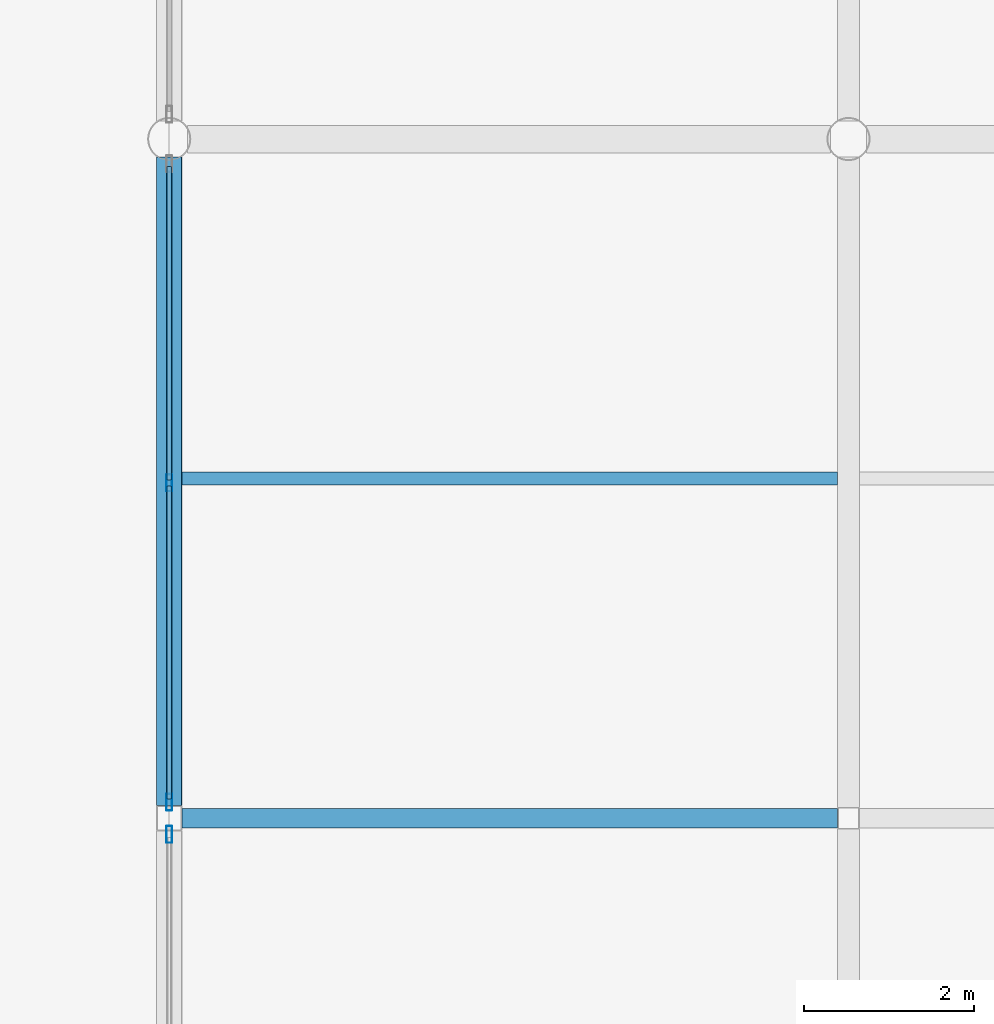
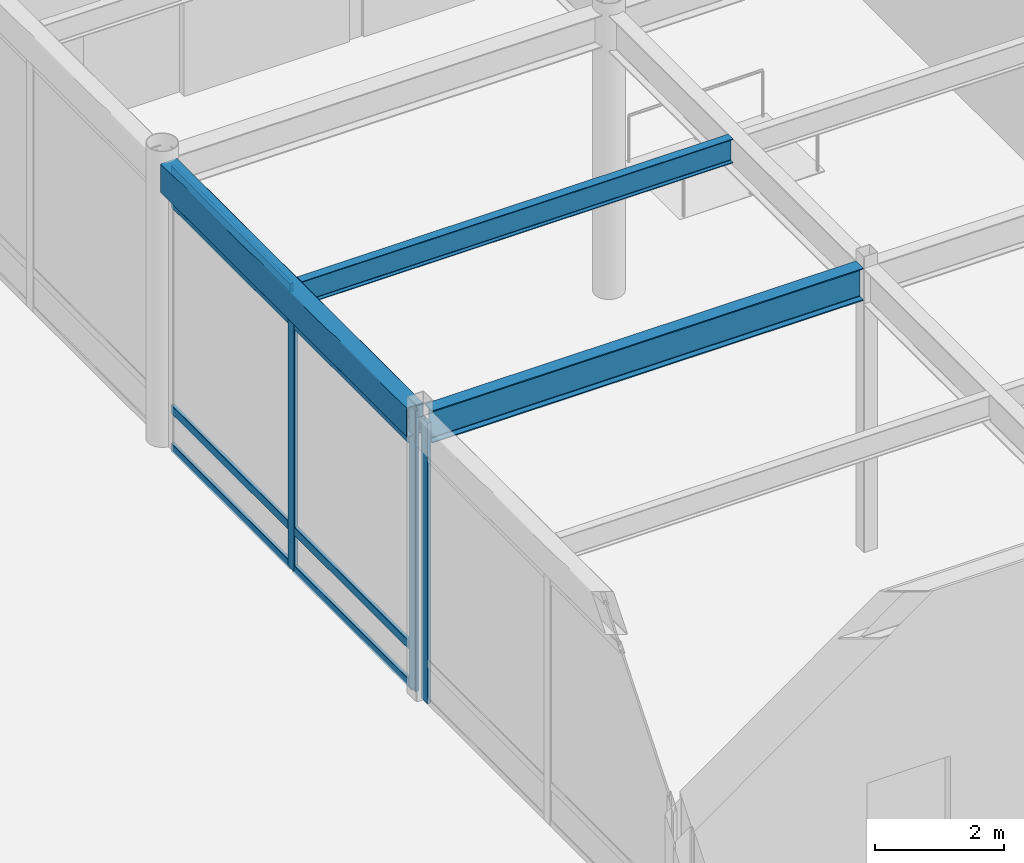
# One storey, part 37 of 128: 11 members, 3 beams, 2 elements without a shape of their own.
"""IFC4 building model written with IfcOpenShell, lengths in metres."""

from ifc_helpers import new_model, si_unit, direction, frame, origin, origin_2d, place, context, subcontext, project, spatial, hollow_rectangle, i_section, extrude, material, material_profile, profile_set, type_object, element, aggregate, save


model = new_model("IFC4")

# Units and contexts
model_context = context("Model", 3, precision=1e-05, world=origin(), true_north=direction((0.0, 1.0)))
body_context = subcontext(model_context, "Body", "Model", "MODEL_VIEW")
ifc_project = project(units=[si_unit("LENGTHUNIT", "METRE"), si_unit("AREAUNIT", "SQUARE_METRE"), si_unit("VOLUMEUNIT", "CUBIC_METRE"), si_unit("PLANEANGLEUNIT", "RADIAN"), si_unit("MASSUNIT", "GRAM", prefix="KILO")], contexts=[model_context])

# Site, building, storey
site_placement = place(None, origin())
site = spatial("IfcSite", under=ifc_project, at=site_placement, CompositionType="ELEMENT")
building_placement = place(site_placement, origin())
building = spatial("IfcBuilding", under=site, at=building_placement, Name="Solmirada Galleria", CompositionType="ELEMENT")
storey_placement = place(building_placement, origin())
storey = spatial("IfcBuildingStorey", under=building, at=storey_placement, Name="L00", CompositionType="ELEMENT", Elevation=0.0)

# Beams
ifc_material_1 = material(Name="Steel S355 / ASTM A992 Grade 50", Category="steel")
ifc_material_profile_1 = material_profile(ifc_material_1, i_section(OverallWidth=0.22900390625, OverallDepth=0.612060546875, WebThickness=0.011962890625, FlangeThickness=0.01953125, FilletRadius=0.014892578125, at=origin_2d()), Name="W24X84")
ifc_profile_set_1 = profile_set([ifc_material_profile_1], Name="Steel S355 / ASTM A992 Grade 50")
beam_type_1 = type_object("IfcBeamType", Name="BM-GIRD-W24B", PredefinedType="BEAM", material=ifc_profile_set_1)
beam_1_placement = place(storey_placement, frame((40.152587890625, 24.0, 5.073974609375), z_axis=(1.0, 0.0, 0.0), x_axis=(0.0, 1.0, 0.0)))
element("IfcBeam", 1, at=beam_1_placement, inside=storey, type_object=beam_type_1, Name="Primary beam L01 X(40..48, 24)", PredefinedType="BEAM", context=body_context, shape_type="SweptSolid", body=[
    extrude(i_section(OverallWidth=0.22900390625, OverallDepth=0.612060546875, WebThickness=0.011962890625, FlangeThickness=0.01953125, FilletRadius=0.014892578125, at=origin_2d()), origin(), (0.0, 0.0, 1.0), 7.720458984375),
])
ifc_material_profile_2 = material_profile(ifc_material_1, i_section(OverallWidth=0.153076171875, OverallDepth=0.455078125, WebThickness=0.008056640625, FlangeThickness=0.01318359375, FilletRadius=0.011962890625, at=origin_2d()), Name="W18X40")
ifc_profile_set_2 = profile_set([ifc_material_profile_2], Name="Steel S355 / ASTM A992 Grade 50")
beam_type_2 = type_object("IfcBeamType", Name="BM-JST-W18A", PredefinedType="JOIST", material=ifc_profile_set_2)
beam_2_placement = place(storey_placement, frame((40.152587890625, 28.0, 5.152587890625), z_axis=(1.0, 0.0, 0.0), x_axis=(0.0, 1.0, 0.0)))
element("IfcBeam", 2, at=beam_2_placement, inside=storey, type_object=beam_type_2, Name="Composite floor joist L01 (40..48, 28.0)", PredefinedType="JOIST", context=body_context, shape_type="SweptSolid", body=[
    extrude(i_section(OverallWidth=0.153076171875, OverallDepth=0.455078125, WebThickness=0.008056640625, FlangeThickness=0.01318359375, FilletRadius=0.011962890625, at=origin_2d()), origin(), (0.0, 0.0, 1.0), 7.719482421875),
])
ifc_material_2 = material(Name="Steel S355 / ASTM A500 Grade C", Category="steel")
ifc_material_profile_3 = material_profile(ifc_material_2, hollow_rectangle(XDim=0.304931640625, YDim=0.55908203125, WallThickness=0.01171875, InnerFilletRadius=0.01171875, OuterFilletRadius=0.023681640625, at=origin_2d()), Name="HSS22X12X1/2")
ifc_profile_set_3 = profile_set([ifc_material_profile_3], Name="Steel S355 / ASTM A500 Grade C")
beam_type_3 = type_object("IfcBeamType", Name="BM-SPAND-W21", PredefinedType="SPANDREL", material=ifc_profile_set_3)
beam_3_placement = place(storey_placement, frame((40.0, 24.152587890625, 5.1005859375), z_axis=(0.0, 1.0, 0.0), x_axis=(-1.0, 0.0, 0.0)))
element("IfcBeam", 3, at=beam_3_placement, inside=storey, type_object=beam_type_3, Name="Primary girder L01 Y(40, 24..32)", PredefinedType="SPANDREL", context=body_context, shape_type="SweptSolid", body=[
    extrude(hollow_rectangle(XDim=0.304931640625, YDim=0.55908203125, WallThickness=0.01171875, InnerFilletRadius=0.01171875, OuterFilletRadius=0.023681640625, at=origin_2d()), origin(), (0.0, 0.0, 1.0), 7.634033203125),
])

# Curtain wall, member
ifc_material_3 = material(Name="Impact-resistant low-E double glazing", Category="glass")
curtain_wall_type_1 = type_object("IfcCurtainWallType", Name="CW-FZ1-L00-B2-L077", PredefinedType="NOTDEFINED", material=ifc_material_3)
curtain_wall_1_placement = place(storey_placement, origin())
curtain_wall_1 = element("IfcCurtainWall", 4, at=curtain_wall_1_placement, inside=storey, type_object=curtain_wall_type_1, Name="Terrace and arcade storefront CW-L00-028", PredefinedType="NOTDEFINED")
ifc_material_4 = material(Name="Anodised aluminium framing", Category="aluminium")
ifc_material_profile_4 = material_profile(ifc_material_4, hollow_rectangle(XDim=0.070068359375, YDim=0.199951171875, WallThickness=0.004150390625, InnerFilletRadius=0.004150390625, OuterFilletRadius=0.00830078125, at=origin_2d()), Name="ALU-MULL-200X70")
ifc_profile_set_4 = profile_set([ifc_material_profile_4], Name="Anodised aluminium framing")
member_type_1 = type_object("IfcMemberType", Name="CW-MULL-200", PredefinedType="MULLION", material=ifc_profile_set_4)
member_1_placement = place(storey_placement, frame((40.0, 23.810546875, 0.0), z_axis=(0.0, 0.0, 1.0), x_axis=(-1.0, 0.0, 0.0)))
member_1 = element("IfcMember", 5, at=member_1_placement, type_object=member_type_1, Name="CW11 mullion 3", PredefinedType="MULLION", context=body_context, shape_type="SweptSolid", body=[
    extrude(hollow_rectangle(XDim=0.070068359375, YDim=0.199951171875, WallThickness=0.004150390625, InnerFilletRadius=0.004150390625, OuterFilletRadius=0.00830078125, at=origin_2d()), origin(), (0.0, 0.0, 1.0), 5.320068359375),
])
aggregate(curtain_wall_1, [member_1])

# Curtain wall, members
curtain_wall_type_2 = type_object("IfcCurtainWallType", Name="CW-FZ1-L00-B2-L076", PredefinedType="NOTDEFINED", material=ifc_material_3)
curtain_wall_2_placement = place(storey_placement, origin())
curtain_wall_2 = element("IfcCurtainWall", 6, at=curtain_wall_2_placement, inside=storey, type_object=curtain_wall_type_2, Name="Terrace and arcade storefront CW-L00-029", PredefinedType="NOTDEFINED")
member_2_placement = place(storey_placement, frame((40.0, 24.189453125, 0.0), z_axis=(0.0, 0.0, 1.0), x_axis=(-1.0, 0.0, 0.0)))
member_2 = element("IfcMember", 7, at=member_2_placement, type_object=member_type_1, Name="CW10 mullion 1", PredefinedType="MULLION", context=body_context, shape_type="SweptSolid", body=[
    extrude(hollow_rectangle(XDim=0.070068359375, YDim=0.199951171875, WallThickness=0.004150390625, InnerFilletRadius=0.004150390625, OuterFilletRadius=0.00830078125, at=origin_2d()), origin(), (0.0, 0.0, 1.0), 5.320068359375),
])
member_3_placement = place(storey_placement, frame((40.0, 27.94921875, 0.0), z_axis=(0.0, 0.0, 1.0), x_axis=(-1.0, 0.0, 0.0)))
member_3 = element("IfcMember", 8, at=member_3_placement, type_object=member_type_1, Name="CW10 mullion 2", PredefinedType="MULLION", context=body_context, shape_type="SweptSolid", body=[
    extrude(hollow_rectangle(XDim=0.070068359375, YDim=0.199951171875, WallThickness=0.004150390625, InnerFilletRadius=0.004150390625, OuterFilletRadius=0.00830078125, at=origin_2d()), origin(), (0.0, 0.0, 1.0), 5.320068359375),
])
ifc_material_profile_5 = material_profile(ifc_material_4, hollow_rectangle(XDim=0.06494140625, YDim=0.159912109375, WallThickness=0.00390625, InnerFilletRadius=0.00390625, OuterFilletRadius=0.007568359375, at=origin_2d()), Name="ALU-TRAN-160X65")
ifc_profile_set_5 = profile_set([ifc_material_profile_5], Name="Anodised aluminium framing")
member_type_2 = type_object("IfcMemberType", Name="CW-TRAN-160", PredefinedType="USERDEFINED", material=ifc_profile_set_5)
member_4_placement = place(storey_placement, frame((40.0, 24.224609375, 0.032470703125), z_axis=(0.0, 1.0, 0.0), x_axis=(-1.0, 0.0, 0.0)))
member_4 = element("IfcMember", 9, at=member_4_placement, type_object=member_type_2, Name="CW10 transom 1.1", ObjectType="TRANSOM", PredefinedType="USERDEFINED", context=body_context, shape_type="SweptSolid", body=[
    extrude(hollow_rectangle(XDim=0.06494140625, YDim=0.159912109375, WallThickness=0.00390625, InnerFilletRadius=0.00390625, OuterFilletRadius=0.007568359375, at=origin_2d()), origin(), (0.0, 0.0, 1.0), 3.689697265625),
])
member_5_placement = place(storey_placement, frame((40.0, 24.224609375, 0.760009765625), z_axis=(0.0, 1.0, 0.0), x_axis=(-1.0, 0.0, 0.0)))
member_5 = element("IfcMember", 10, at=member_5_placement, type_object=member_type_2, Name="CW10 transom 1.2", ObjectType="TRANSOM", PredefinedType="USERDEFINED", context=body_context, shape_type="SweptSolid", body=[
    extrude(hollow_rectangle(XDim=0.06494140625, YDim=0.159912109375, WallThickness=0.00390625, InnerFilletRadius=0.00390625, OuterFilletRadius=0.007568359375, at=origin_2d()), origin(), (0.0, 0.0, 1.0), 3.689697265625),
])
member_6_placement = place(storey_placement, frame((40.0, 24.224609375, 4.659912109375), z_axis=(0.0, 1.0, 0.0), x_axis=(-1.0, 0.0, 0.0)))
member_6 = element("IfcMember", 11, at=member_6_placement, type_object=member_type_2, Name="CW10 transom 1.3", ObjectType="TRANSOM", PredefinedType="USERDEFINED", context=body_context, shape_type="SweptSolid", body=[
    extrude(hollow_rectangle(XDim=0.06494140625, YDim=0.159912109375, WallThickness=0.00390625, InnerFilletRadius=0.00390625, OuterFilletRadius=0.007568359375, at=origin_2d()), origin(), (0.0, 0.0, 1.0), 3.689697265625),
])
member_7_placement = place(storey_placement, frame((40.0, 24.224609375, 5.28759765625), z_axis=(0.0, 1.0, 0.0), x_axis=(-1.0, 0.0, 0.0)))
member_7 = element("IfcMember", 12, at=member_7_placement, type_object=member_type_2, Name="CW10 transom 1.4", ObjectType="TRANSOM", PredefinedType="USERDEFINED", context=body_context, shape_type="SweptSolid", body=[
    extrude(hollow_rectangle(XDim=0.06494140625, YDim=0.159912109375, WallThickness=0.00390625, InnerFilletRadius=0.00390625, OuterFilletRadius=0.007568359375, at=origin_2d()), origin(), (0.0, 0.0, 1.0), 3.689697265625),
])
member_8_placement = place(storey_placement, frame((40.0, 27.984130859375, 0.032470703125), z_axis=(0.0, 1.0, 0.0), x_axis=(-1.0, 0.0, 0.0)))
member_8 = element("IfcMember", 13, at=member_8_placement, type_object=member_type_2, Name="CW10 transom 2.1", ObjectType="TRANSOM", PredefinedType="USERDEFINED", context=body_context, shape_type="SweptSolid", body=[
    extrude(hollow_rectangle(XDim=0.06494140625, YDim=0.159912109375, WallThickness=0.00390625, InnerFilletRadius=0.00390625, OuterFilletRadius=0.007568359375, at=origin_2d()), origin(), (0.0, 0.0, 1.0), 3.68994140625),
])
member_9_placement = place(storey_placement, frame((40.0, 27.984130859375, 0.760009765625), z_axis=(0.0, 1.0, 0.0), x_axis=(-1.0, 0.0, 0.0)))
member_9 = element("IfcMember", 14, at=member_9_placement, type_object=member_type_2, Name="CW10 transom 2.2", ObjectType="TRANSOM", PredefinedType="USERDEFINED", context=body_context, shape_type="SweptSolid", body=[
    extrude(hollow_rectangle(XDim=0.06494140625, YDim=0.159912109375, WallThickness=0.00390625, InnerFilletRadius=0.00390625, OuterFilletRadius=0.007568359375, at=origin_2d()), origin(), (0.0, 0.0, 1.0), 3.68994140625),
])
member_10_placement = place(storey_placement, frame((40.0, 27.984130859375, 4.659912109375), z_axis=(0.0, 1.0, 0.0), x_axis=(-1.0, 0.0, 0.0)))
member_10 = element("IfcMember", 15, at=member_10_placement, type_object=member_type_2, Name="CW10 transom 2.3", ObjectType="TRANSOM", PredefinedType="USERDEFINED", context=body_context, shape_type="SweptSolid", body=[
    extrude(hollow_rectangle(XDim=0.06494140625, YDim=0.159912109375, WallThickness=0.00390625, InnerFilletRadius=0.00390625, OuterFilletRadius=0.007568359375, at=origin_2d()), origin(), (0.0, 0.0, 1.0), 3.68994140625),
])
member_11_placement = place(storey_placement, frame((40.0, 27.984130859375, 5.28759765625), z_axis=(0.0, 1.0, 0.0), x_axis=(-1.0, 0.0, 0.0)))
member_11 = element("IfcMember", 16, at=member_11_placement, type_object=member_type_2, Name="CW10 transom 2.4", ObjectType="TRANSOM", PredefinedType="USERDEFINED", context=body_context, shape_type="SweptSolid", body=[
    extrude(hollow_rectangle(XDim=0.06494140625, YDim=0.159912109375, WallThickness=0.00390625, InnerFilletRadius=0.00390625, OuterFilletRadius=0.007568359375, at=origin_2d()), origin(), (0.0, 0.0, 1.0), 3.68994140625),
])
aggregate(curtain_wall_2, [member_2, member_3, member_4, member_5, member_6, member_7, member_8, member_9, member_10, member_11])

save(model, "model.ifc")
